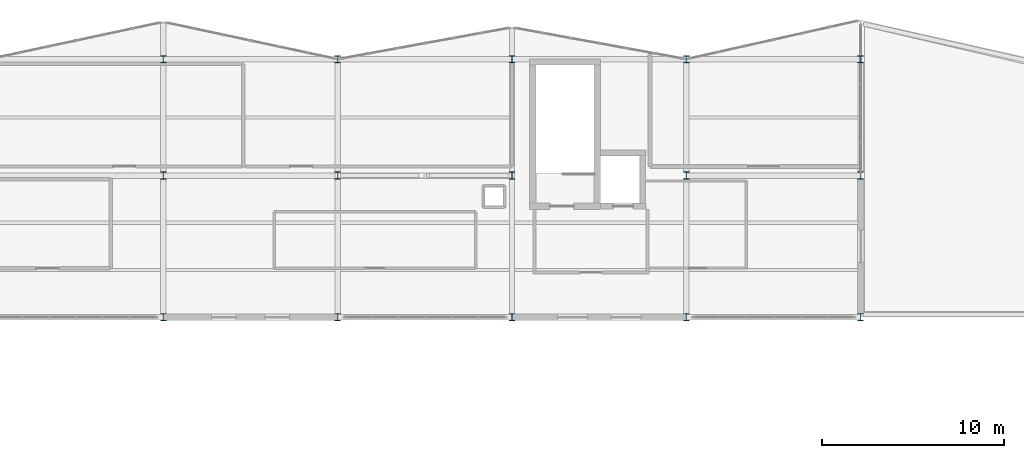
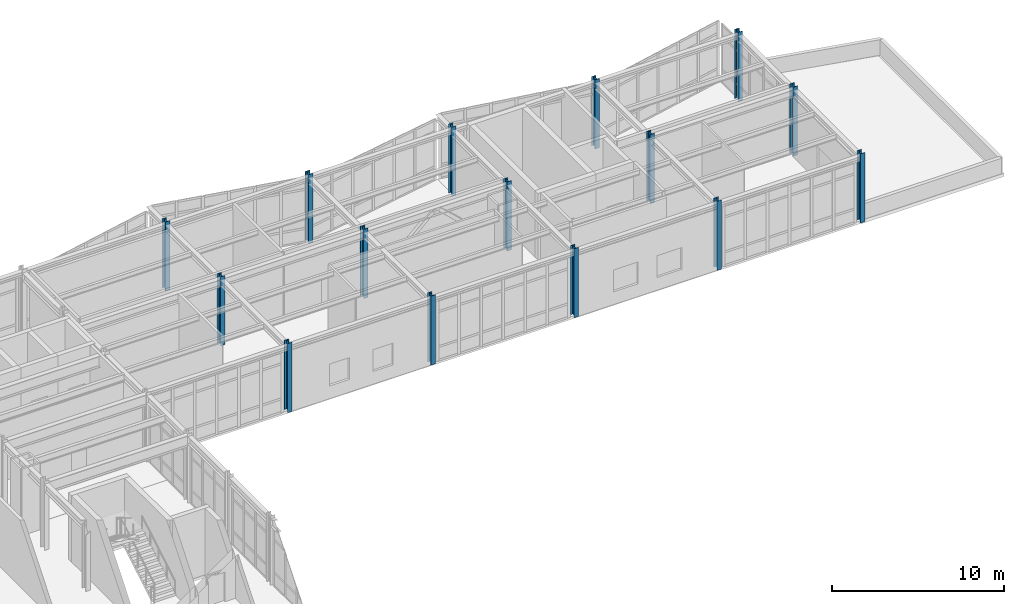
# One storey, part 2 of 28: 15 columns.
"""IFC4 building model written with IfcOpenShell, lengths in metres."""

from ifc_helpers import new_model, si_unit, direction, frame, origin, origin_2d, place, context, subcontext, project, spatial, i_section, extrude, material, material_profile, profile_set, type_object, element, save


model = new_model("IFC4")

# Units and contexts
model_context = context("Model", 3, precision=1e-05, world=origin(), true_north=direction((0.0, 1.0)))
body_context = subcontext(model_context, "Body", "Model", "MODEL_VIEW")
ifc_project = project(units=[si_unit("LENGTHUNIT", "METRE"), si_unit("AREAUNIT", "SQUARE_METRE"), si_unit("VOLUMEUNIT", "CUBIC_METRE"), si_unit("PLANEANGLEUNIT", "RADIAN"), si_unit("MASSUNIT", "GRAM", prefix="KILO")], contexts=[model_context])

# Site, building, storey
site_placement = place(None, origin())
site = spatial("IfcSite", under=ifc_project, at=site_placement, CompositionType="ELEMENT")
building_placement = place(site_placement, origin())
building = spatial("IfcBuilding", under=site, at=building_placement, Name="Nordkorset Police Headquarters", CompositionType="ELEMENT")
storey_placement = place(building_placement, frame((0.0, 0.0, 26.25)))
storey = spatial("IfcBuildingStorey", under=building, at=storey_placement, Name="L06", CompositionType="ELEMENT", Elevation=26.25)

# Columns
ifc_material = material(Name="Steel S355J2", Category="steel")
ifc_material_profile = material_profile(ifc_material, i_section(OverallWidth=0.300048828125, OverallDepth=0.39990234375, WebThickness=0.013427734375, FlangeThickness=0.02392578125, FilletRadius=0.027099609375, at=origin_2d()), Name="HEB 400")
ifc_profile_set = profile_set([ifc_material_profile], Name="Steel S355J2")
column_type = type_object("IfcColumnType", Name="Col_HEB_400", PredefinedType="COLUMN", material=ifc_profile_set)
for number, where, z_axis, x_axis, name in (
    (1, (38.39990234375, 102.60009765625, 0.0), (0.0, 0.0, 1.0), (1.0, 0.0, 0.0), "Structural Column V2_Y1_0 L06"),
    (2, (38.39990234375, 110.39990234375, 0.0), (0.0, 0.0, 1.0), (1.0, 0.0, 0.0), "Structural Column V2_Y2_0 L06"),
    (3, (38.39990234375, 116.800048828125, 0.0), (0.0, 0.0, 1.0), (1.0, 0.0, 0.0), "Structural Column V2_Y3_0 L06"),
    (4, (48.0, 102.60009765625, 0.0), (0.0, 0.0, 1.0), (1.0, 0.0, 0.0), "Structural Column V2_Y1_1 L06"),
    (5, (48.0, 110.39990234375, 0.0), (0.0, 0.0, 1.0), (1.0, 0.0, 0.0), "Structural Column V2_Y2_1 L06"),
    (6, (48.0, 116.800048828125, 0.0), (0.0, 0.0, 1.0), (1.0, 0.0, 0.0), "Structural Column V2_Y3_1 L06"),
    (7, (57.60009765625, 102.60009765625, 0.0), (0.0, 0.0, 1.0), (1.0, 0.0, 0.0), "Structural Column V2_Y1_2 L06"),
    (8, (57.60009765625, 110.39990234375, 0.0), (0.0, 0.0, 1.0), (1.0, 0.0, 0.0), "Structural Column V2_Y2_2 L06"),
    (9, (57.60009765625, 116.800048828125, 0.0), (0.0, 0.0, 1.0), (1.0, 0.0, 0.0), "Structural Column V2_Y3_2 L06"),
    (10, (67.199951171875, 102.60009765625, 0.0), (0.0, 0.0, 1.0), (1.0, 0.0, 0.0), "Structural Column V2_Y1_3 L06"),
    (11, (67.199951171875, 110.39990234375, 0.0), (0.0, 0.0, 1.0), (1.0, 0.0, 0.0), "Structural Column V2_Y2_3 L06"),
    (12, (67.199951171875, 116.800048828125, 0.0), (0.0, 0.0, 1.0), (1.0, 0.0, 0.0), "Structural Column V2_Y3_3 L06"),
    (13, (76.800048828125, 102.60009765625, 0.0), (0.0, 0.0, 1.0), (1.0, 0.0, 0.0), "Structural Column V2_Y1_4 L06"),
    (14, (76.800048828125, 110.39990234375, 0.0), (0.0, 0.0, 1.0), (1.0, 0.0, 0.0), "Structural Column V2_Y2_4 L06"),
    (15, (76.800048828125, 116.800048828125, 0.0), (0.0, 0.0, 1.0), (1.0, 0.0, 0.0), "Structural Column V2_Y3_4 L06"),
):
    element("IfcColumn", number, at=place(storey_placement, frame(where, z_axis=z_axis, x_axis=x_axis)), inside=storey, type_object=column_type, Name=name, PredefinedType="COLUMN", context=body_context, shape_type="SweptSolid", body=[
        extrude(i_section(OverallWidth=0.300048828125, OverallDepth=0.39990234375, WebThickness=0.013427734375, FlangeThickness=0.02392578125, FilletRadius=0.027099609375, at=origin_2d()), origin(), (0.0, 0.0, 1.0), 4.89990234375),
    ])

save(model, "model.ifc")
